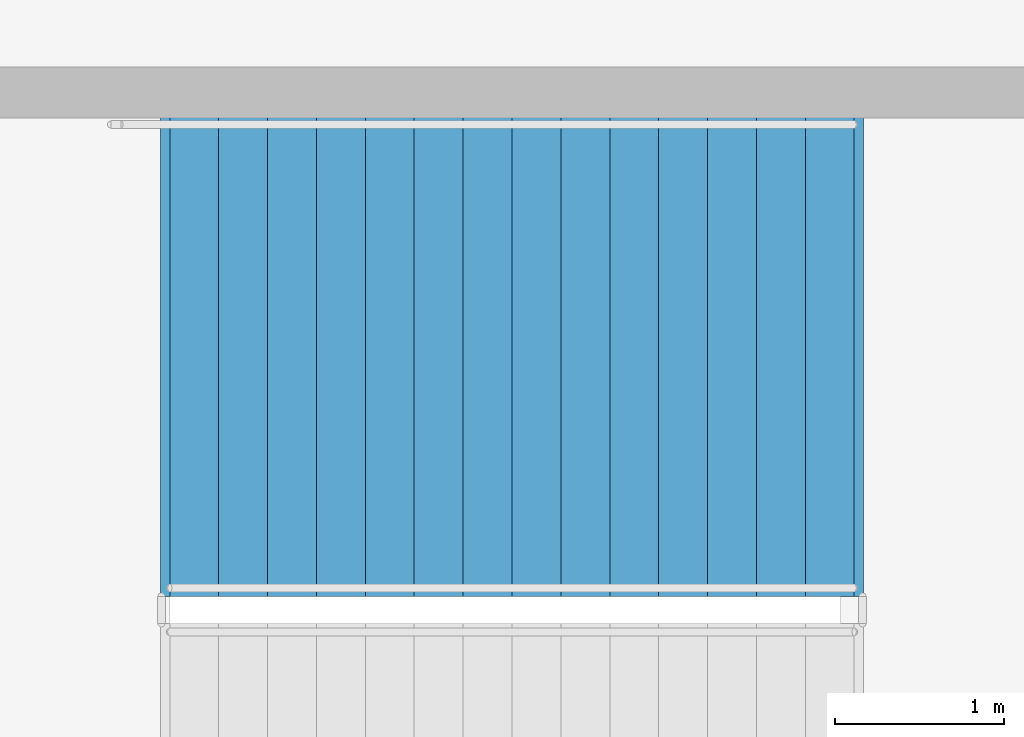
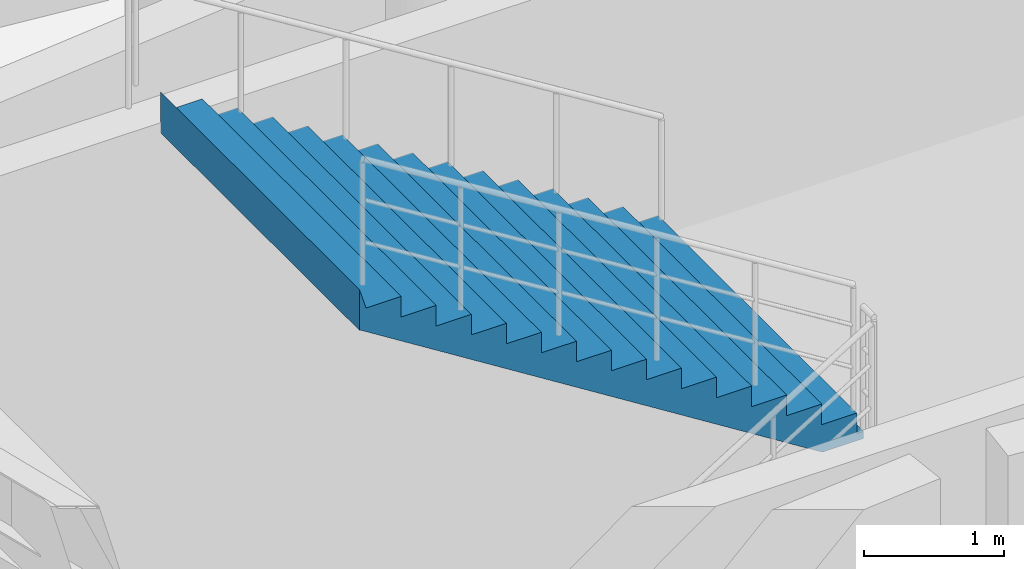
# One storey, part 71 of 93: 1 stair flight, 1 element without a shape of its own.
"""IFC4 building model written with IfcOpenShell, lengths in metres."""

from ifc_helpers import new_model, si_unit, direction, frame, origin, place, context, subcontext, project, spatial, polyline, outline, extrude, material, type_object, element, aggregate, save


model = new_model("IFC4")

# Units and contexts
model_context = context("Model", 3, precision=1e-05, world=origin(), true_north=direction((0.0, 1.0)))
body_context = subcontext(model_context, "Body", "Model", "MODEL_VIEW")
ifc_project = project(units=[si_unit("LENGTHUNIT", "METRE"), si_unit("AREAUNIT", "SQUARE_METRE"), si_unit("VOLUMEUNIT", "CUBIC_METRE"), si_unit("PLANEANGLEUNIT", "RADIAN"), si_unit("MASSUNIT", "GRAM", prefix="KILO")], contexts=[model_context])

# Site, building, storey
site_placement = place(None, origin())
site = spatial("IfcSite", under=ifc_project, at=site_placement, CompositionType="ELEMENT")
building_placement = place(site_placement, origin())
building = spatial("IfcBuilding", under=site, at=building_placement, Name="Cinderbank Siding Concert Hall", CompositionType="ELEMENT")
storey_placement = place(building_placement, origin())
storey = spatial("IfcBuildingStorey", under=building, at=storey_placement, Name="L01", CompositionType="ELEMENT", Elevation=0.0)

# Stair, stair flight
ifc_material = material(Name="Reinforced concrete AS 3600 N50 (50 MPa)", Category="concrete")
stair_type = type_object("IfcStairType", Name="STR-J Dogleg Exit Stair 2850mm", PredefinedType="HALF_TURN_STAIR", material=ifc_material)
stair_placement = place(storey_placement, origin())
stair = element("IfcStair", 1, at=stair_placement, inside=storey, type_object=stair_type, Name="L01 Fire-isolated Exit Stair ST-01", PredefinedType="HALF_TURN_STAIR")
stair_flight_type = type_object("IfcStairFlightType", Name="SFL-J Concrete Stair Flight 2850mm", PredefinedType="STRAIGHT", material=ifc_material)
stair_flight_placement = place(storey_placement, frame((123.2099609375, 63.18505859375, 2.699951171875), z_axis=(0.0, 0.0, 1.0), x_axis=(-1.0, 0.0, 0.0)))
stair_flight = element("IfcStairFlight", 2, at=stair_flight_placement, type_object=stair_flight_type, Name="ST-01 flight 2", NumberOfRisers=15, NumberOfTreads=14, PredefinedType="STRAIGHT", RiserHeight=0.18, TreadLength=0.29, context=body_context, shape_type="SweptSolid", body=[
    extrude(outline(polyline([(0.0, 0.0), (0.0, 0.179931640625), (0.2900390625, 0.179931640625), (0.2900390625, 0.360107421875), (0.580078125, 0.360107421875), (0.580078125, 0.5400390625), (0.8701171875, 0.5400390625), (0.8701171875, 0.719970703125), (1.159912109375, 0.719970703125), (1.159912109375, 0.89990234375), (1.449951171875, 0.89990234375), (1.449951171875, 1.080078125), (1.739990234375, 1.080078125), (1.739990234375, 1.260009765625), (2.030029296875, 1.260009765625), (2.030029296875, 1.43994140625), (2.320068359375, 1.43994140625), (2.320068359375, 1.6201171875), (2.610107421875, 1.6201171875), (2.610107421875, 1.800048828125), (2.89990234375, 1.800048828125), (2.89990234375, 1.97998046875), (3.18994140625, 1.97998046875), (3.18994140625, 2.159912109375), (3.47998046875, 2.159912109375), (3.47998046875, 2.340087890625), (3.77001953125, 2.340087890625), (3.77001953125, 2.52001953125), (4.06005859375, 2.52001953125), (4.114990234375, 2.699951171875), (4.114990234375, 2.343505859375), (4.11474609375, 2.34375), (4.11474609375, 2.343994140625), (4.11474609375, 2.34423828125), (4.11474609375, 2.344482421875), (4.11474609375, 2.3447265625), (4.11474609375, 2.344970703125), (4.11474609375, 2.34521484375), (4.11474609375, 2.345458984375), (4.11474609375, 2.345703125), (4.11474609375, 2.345947265625), (4.11474609375, 2.34619140625), (4.11474609375, 2.346435546875), (4.114501953125, 2.346435546875), (4.114501953125, 2.34619140625), (4.114501953125, 2.345947265625), (4.114501953125, 2.345703125), (4.114501953125, 2.345458984375), (4.114501953125, 2.34521484375), (4.114501953125, 2.344970703125), (4.114501953125, 2.3447265625), (4.114501953125, 2.344482421875), (4.114501953125, 2.34423828125), (4.114501953125, 2.343994140625), (4.114501953125, 2.34375), (4.114501953125, 2.343505859375), (4.1142578125, 2.34375), (4.1142578125, 2.343994140625), (4.1142578125, 2.34423828125), (4.1142578125, 2.344482421875), (4.1142578125, 2.3447265625), (4.1142578125, 2.344970703125), (4.1142578125, 2.34521484375), (4.1142578125, 2.345458984375), (4.1142578125, 2.345703125), (4.1142578125, 2.345947265625), (4.1142578125, 2.34619140625), (4.1142578125, 2.346435546875), (4.114013671875, 2.346435546875), (4.114013671875, 2.34619140625), (4.114013671875, 2.345947265625), (4.114013671875, 2.345703125), (4.114013671875, 2.345458984375), (4.114013671875, 2.34521484375), (4.114013671875, 2.344970703125), (4.114013671875, 2.3447265625), (4.114013671875, 2.344482421875), (4.114013671875, 2.34423828125), (4.114013671875, 2.343994140625), (4.114013671875, 2.34375), (4.114013671875, 2.343505859375), (4.11376953125, 2.34375), (4.11376953125, 2.343994140625), (4.11376953125, 2.34423828125), (4.11376953125, 2.344482421875), (4.11376953125, 2.3447265625), (4.11376953125, 2.344970703125), (4.11376953125, 2.34521484375), (4.11376953125, 2.345458984375), (4.11376953125, 2.345703125), (4.11376953125, 2.345947265625), (4.11376953125, 2.34619140625), (4.11376953125, 2.346435546875), (4.113525390625, 2.346435546875), (4.113525390625, 2.34619140625), (4.113525390625, 2.345947265625), (4.113525390625, 2.345703125), (4.113525390625, 2.345458984375), (4.113525390625, 2.34521484375), (4.113525390625, 2.344970703125), (4.113525390625, 2.3447265625), (4.113525390625, 2.344482421875), (4.113525390625, 2.34423828125), (4.113525390625, 2.343994140625), (4.113525390625, 2.34375), (4.113525390625, 2.343505859375), (4.11328125, 2.34375), (4.11328125, 2.343994140625), (4.11328125, 2.34423828125), (4.11328125, 2.344482421875), (4.11328125, 2.3447265625), (4.11328125, 2.344970703125), (4.11328125, 2.34521484375), (4.11328125, 2.345458984375), (4.11328125, 2.345703125), (4.11328125, 2.345947265625), (4.11328125, 2.34619140625), (4.11328125, 2.346435546875), (4.113037109375, 2.346435546875), (4.113037109375, 2.34619140625), (4.113037109375, 2.345947265625), (4.113037109375, 2.345703125), (4.113037109375, 2.345458984375), (4.113037109375, 2.34521484375), (4.113037109375, 2.344970703125), (4.113037109375, 2.3447265625), (4.113037109375, 2.344482421875), (4.113037109375, 2.34423828125), (4.113037109375, 2.343994140625), (4.113037109375, 2.34375), (4.113037109375, 2.343505859375), (4.11279296875, 2.34375), (4.11279296875, 2.343994140625), (4.11279296875, 2.34423828125), (4.11279296875, 2.344482421875), (4.11279296875, 2.3447265625), (4.11279296875, 2.344970703125), (4.11279296875, 2.34521484375), (4.11279296875, 2.345458984375), (4.11279296875, 2.345703125), (4.11279296875, 2.345947265625), (4.11279296875, 2.34619140625), (4.11279296875, 2.346435546875), (4.112548828125, 2.346435546875), (4.112548828125, 2.34619140625), (4.112548828125, 2.345947265625), (4.112548828125, 2.345703125), (4.112548828125, 2.345458984375), (4.112548828125, 2.34521484375), (4.112548828125, 2.344970703125), (4.112548828125, 2.3447265625), (4.112548828125, 2.344482421875), (4.112548828125, 2.34423828125), (4.112548828125, 2.343994140625), (4.112548828125, 2.34375), (4.112548828125, 2.343505859375), (4.1123046875, 2.34375), (4.1123046875, 2.343994140625), (4.1123046875, 2.34423828125), (4.1123046875, 2.344482421875), (4.1123046875, 2.3447265625), (4.1123046875, 2.344970703125), (4.1123046875, 2.34521484375), (4.1123046875, 2.345458984375), (4.1123046875, 2.345703125), (4.1123046875, 2.345947265625), (4.1123046875, 2.34619140625), (4.1123046875, 2.346435546875), (4.112060546875, 2.346435546875), (4.112060546875, 2.34619140625), (4.112060546875, 2.345947265625), (4.112060546875, 2.345703125), (4.112060546875, 2.345458984375), (4.112060546875, 2.34521484375), (4.112060546875, 2.344970703125), (4.112060546875, 2.3447265625), (4.112060546875, 2.344482421875), (4.112060546875, 2.34423828125), (4.112060546875, 2.343994140625), (4.112060546875, 2.34375), (4.112060546875, 2.343505859375), (4.11181640625, 2.34375), (4.11181640625, 2.343994140625), (4.11181640625, 2.34423828125), (4.11181640625, 2.344482421875), (4.11181640625, 2.3447265625), (4.11181640625, 2.344970703125), (4.11181640625, 2.34521484375), (4.11181640625, 2.345458984375), (4.11181640625, 2.345703125), (4.11181640625, 2.345947265625), (4.11181640625, 2.34619140625), (4.11181640625, 2.346435546875), (4.111572265625, 2.346435546875), (4.111572265625, 2.34619140625), (4.111572265625, 2.345947265625), (4.111572265625, 2.345703125), (4.111572265625, 2.345458984375), (4.111572265625, 2.34521484375), (4.111572265625, 2.344970703125), (4.111572265625, 2.3447265625), (4.111572265625, 2.344482421875), (4.111572265625, 2.34423828125), (4.111572265625, 2.343994140625), (4.111572265625, 2.34375), (4.111572265625, 2.343505859375), (4.111328125, 2.34375), (4.111328125, 2.343994140625), (4.111328125, 2.34423828125), (4.111328125, 2.344482421875), (4.111328125, 2.3447265625), (4.111328125, 2.344970703125), (4.111328125, 2.34521484375), (4.111328125, 2.345458984375), (4.111328125, 2.345703125), (4.111328125, 2.345947265625), (4.111328125, 2.34619140625), (4.111328125, 2.346435546875), (4.111083984375, 2.346435546875), (4.111083984375, 2.34619140625), (4.111083984375, 2.345947265625), (4.111083984375, 2.345703125), (4.111083984375, 2.345458984375), (4.111083984375, 2.34521484375), (4.111083984375, 2.344970703125), (4.111083984375, 2.3447265625), (4.111083984375, 2.344482421875), (4.111083984375, 2.34423828125), (4.111083984375, 2.343994140625), (4.111083984375, 2.34375), (4.111083984375, 2.343505859375), (4.11083984375, 2.34375), (4.11083984375, 2.343994140625), (4.11083984375, 2.34423828125), (4.11083984375, 2.344482421875), (4.11083984375, 2.3447265625), (4.11083984375, 2.344970703125), (4.11083984375, 2.34521484375), (4.11083984375, 2.345458984375), (4.11083984375, 2.345703125), (4.11083984375, 2.345947265625), (4.11083984375, 2.34619140625), (4.11083984375, 2.346435546875), (4.110595703125, 2.346435546875), (4.110595703125, 2.34619140625), (4.110595703125, 2.345947265625), (4.110595703125, 2.345703125), (4.110595703125, 2.345458984375), (4.110595703125, 2.34521484375), (4.110595703125, 2.344970703125), (4.110595703125, 2.3447265625), (4.110595703125, 2.344482421875), (4.110595703125, 2.34423828125), (4.110595703125, 2.343994140625), (4.110595703125, 2.34375), (4.110595703125, 2.343505859375), (4.1103515625, 2.34375), (4.1103515625, 2.343994140625), (4.1103515625, 2.34423828125), (4.1103515625, 2.344482421875), (4.1103515625, 2.3447265625), (4.1103515625, 2.344970703125), (4.1103515625, 2.34521484375), (4.1103515625, 2.345458984375), (4.1103515625, 2.345703125), (4.1103515625, 2.345947265625), (4.1103515625, 2.34619140625), (4.1103515625, 2.346435546875), (4.110107421875, 2.346435546875), (4.110107421875, 2.34619140625), (4.110107421875, 2.345947265625), (4.110107421875, 2.345703125), (4.110107421875, 2.345458984375), (4.110107421875, 2.34521484375), (4.110107421875, 2.344970703125), (4.110107421875, 2.3447265625), (4.110107421875, 2.344482421875), (4.110107421875, 2.34423828125), (4.110107421875, 2.343994140625), (4.110107421875, 2.34375), (4.110107421875, 2.343505859375), (4.10986328125, 2.34375), (4.10986328125, 2.343994140625), (4.10986328125, 2.34423828125), (4.10986328125, 2.344482421875), (4.10986328125, 2.3447265625), (4.10986328125, 2.344970703125), (4.10986328125, 2.34521484375), (4.10986328125, 2.345458984375), (4.10986328125, 2.345703125), (4.10986328125, 2.345947265625), (4.10986328125, 2.34619140625), (4.10986328125, 2.346435546875), (4.109619140625, 2.346435546875), (4.109619140625, 2.34619140625), (4.109619140625, 2.345947265625), (4.109619140625, 2.345703125), (4.109619140625, 2.345458984375), (4.109619140625, 2.34521484375), (4.109619140625, 2.344970703125), (4.109619140625, 2.3447265625), (4.109619140625, 2.344482421875), (4.109619140625, 2.34423828125), (4.109619140625, 2.343994140625), (4.109619140625, 2.34375), (4.109619140625, 2.343505859375), (4.109375, 2.34375), (4.109375, 2.343994140625), (4.109375, 2.34423828125), (4.109375, 2.344482421875), (4.109375, 2.3447265625), (4.109375, 2.344970703125), (4.109375, 2.34521484375), (4.109375, 2.345458984375), (4.109375, 2.345703125), (4.109375, 2.345947265625), (4.109375, 2.34619140625), (4.109375, 2.346435546875), (4.109130859375, 2.346435546875), (4.109130859375, 2.34619140625), (4.109130859375, 2.345947265625), (4.109130859375, 2.345703125), (4.109130859375, 2.345458984375), (4.109130859375, 2.34521484375), (4.109130859375, 2.344970703125), (4.109130859375, 2.3447265625), (4.109130859375, 2.344482421875), (4.109130859375, 2.34423828125), (4.109130859375, 2.343994140625), (4.109130859375, 2.34375), (4.109130859375, 2.343505859375), (4.10888671875, 2.34375), (4.10888671875, 2.343994140625), (4.10888671875, 2.34423828125), (4.10888671875, 2.344482421875), (4.10888671875, 2.3447265625), (4.10888671875, 2.344970703125), (4.10888671875, 2.34521484375), (4.10888671875, 2.345458984375), (4.10888671875, 2.345703125), (4.10888671875, 2.345947265625), (4.10888671875, 2.34619140625), (4.10888671875, 2.346435546875), (4.108642578125, 2.346435546875), (4.108642578125, 2.34619140625), (4.108642578125, 2.345947265625), (4.108642578125, 2.345703125), (4.108642578125, 2.345458984375), (4.108642578125, 2.34521484375), (4.108642578125, 2.344970703125), (4.108642578125, 2.3447265625), (4.108642578125, 2.344482421875), (4.108642578125, 2.34423828125), (4.108642578125, 2.343994140625), (4.108642578125, 2.34375), (4.108642578125, 2.343505859375), (0.2841796875, -0.06396484375), (-0.048583984375, -0.063720703125), (-0.048583984375, -0.0634765625), (-0.048583984375, -0.063232421875), (-0.048583984375, -0.06298828125), (-0.048583984375, -0.062744140625), (-0.048583984375, -0.0625), (-0.048583984375, -0.062255859375), (-0.048583984375, -0.06201171875), (-0.048583984375, -0.061767578125), (-0.048583984375, -0.0615234375), (-0.048583984375, -0.061279296875), (-0.048583984375, -0.06103515625), (-0.048828125, -0.06103515625), (-0.048828125, -0.061279296875), (-0.048828125, -0.0615234375), (-0.048828125, -0.061767578125), (-0.048828125, -0.06201171875), (-0.048828125, -0.062255859375), (-0.048828125, -0.0625), (-0.048828125, -0.062744140625), (-0.048828125, -0.06298828125), (-0.048828125, -0.063232421875), (-0.048828125, -0.0634765625), (-0.048828125, -0.063720703125), (-0.048828125, -0.06396484375), (-0.049072265625, -0.063720703125), (-0.049072265625, -0.0634765625), (-0.049072265625, -0.063232421875), (-0.049072265625, -0.06298828125), (-0.049072265625, -0.062744140625), (-0.049072265625, -0.0625), (-0.049072265625, -0.062255859375), (-0.049072265625, -0.06201171875), (-0.049072265625, -0.061767578125), (-0.049072265625, -0.0615234375), (-0.049072265625, -0.061279296875), (-0.049072265625, -0.06103515625), (-0.04931640625, -0.06103515625), (-0.04931640625, -0.061279296875), (-0.04931640625, -0.0615234375), (-0.04931640625, -0.061767578125), (-0.04931640625, -0.06201171875), (-0.04931640625, -0.062255859375), (-0.04931640625, -0.0625), (-0.04931640625, -0.062744140625), (-0.04931640625, -0.06298828125), (-0.04931640625, -0.063232421875), (-0.04931640625, -0.0634765625), (-0.04931640625, -0.063720703125), (-0.04931640625, -0.06396484375), (-0.049560546875, -0.063720703125), (-0.049560546875, -0.0634765625), (-0.049560546875, -0.063232421875), (-0.049560546875, -0.06298828125), (-0.049560546875, -0.062744140625), (-0.049560546875, -0.0625), (-0.049560546875, -0.062255859375), (-0.049560546875, -0.06201171875), (-0.049560546875, -0.061767578125), (-0.049560546875, -0.0615234375), (-0.049560546875, -0.061279296875), (-0.049560546875, -0.06103515625), (-0.0498046875, -0.06103515625), (-0.0498046875, -0.061279296875), (-0.0498046875, -0.0615234375), (-0.0498046875, -0.061767578125), (-0.0498046875, -0.06201171875), (-0.0498046875, -0.062255859375), (-0.0498046875, -0.0625), (-0.0498046875, -0.062744140625), (-0.0498046875, -0.06298828125), (-0.0498046875, -0.063232421875), (-0.0498046875, -0.0634765625), (-0.0498046875, -0.063720703125), (-0.0498046875, -0.06396484375), (-0.050048828125, -0.063720703125), (-0.050048828125, -0.0634765625), (-0.050048828125, -0.063232421875), (-0.050048828125, -0.06298828125), (-0.050048828125, -0.062744140625), (-0.050048828125, -0.0625), (-0.050048828125, -0.062255859375), (-0.050048828125, -0.06201171875), (-0.050048828125, -0.061767578125), (-0.050048828125, -0.0615234375), (-0.050048828125, -0.061279296875), (-0.050048828125, -0.06103515625), (-0.05029296875, -0.06103515625), (-0.05029296875, -0.061279296875), (-0.05029296875, -0.0615234375), (-0.05029296875, -0.061767578125), (-0.05029296875, -0.06201171875), (-0.05029296875, -0.062255859375), (-0.05029296875, -0.0625), (-0.05029296875, -0.062744140625), (-0.05029296875, -0.06298828125), (-0.05029296875, -0.063232421875), (-0.05029296875, -0.0634765625), (-0.05029296875, -0.063720703125), (-0.05029296875, -0.06396484375), (-0.050537109375, -0.063720703125), (-0.050537109375, -0.0634765625), (-0.050537109375, -0.063232421875), (-0.050537109375, -0.06298828125), (-0.050537109375, -0.062744140625), (-0.050537109375, -0.0625), (-0.050537109375, -0.062255859375), (-0.050537109375, -0.06201171875), (-0.050537109375, -0.061767578125), (-0.050537109375, -0.0615234375), (-0.050537109375, -0.061279296875), (-0.050537109375, -0.06103515625), (-0.05078125, -0.06103515625), (-0.05078125, -0.061279296875), (-0.05078125, -0.0615234375), (-0.05078125, -0.061767578125), (-0.05078125, -0.06201171875), (-0.05078125, -0.062255859375), (-0.05078125, -0.0625), (-0.05078125, -0.062744140625), (-0.05078125, -0.06298828125), (-0.05078125, -0.063232421875), (-0.05078125, -0.0634765625), (-0.05078125, -0.063720703125), (-0.05078125, -0.06396484375), (-0.051025390625, -0.063720703125), (-0.051025390625, -0.0634765625), (-0.051025390625, -0.063232421875), (-0.051025390625, -0.06298828125), (-0.051025390625, -0.062744140625), (-0.051025390625, -0.0625), (-0.051025390625, -0.062255859375), (-0.051025390625, -0.06201171875), (-0.051025390625, -0.061767578125), (-0.051025390625, -0.0615234375), (-0.051025390625, -0.061279296875), (-0.051025390625, -0.06103515625), (-0.05126953125, -0.06103515625), (-0.05126953125, -0.061279296875), (-0.05126953125, -0.0615234375), (-0.05126953125, -0.061767578125), (-0.05126953125, -0.06201171875), (-0.05126953125, -0.062255859375), (-0.05126953125, -0.0625), (-0.05126953125, -0.062744140625), (-0.05126953125, -0.06298828125), (-0.05126953125, -0.063232421875), (-0.05126953125, -0.0634765625), (-0.05126953125, -0.063720703125), (-0.05126953125, -0.06396484375), (-0.051513671875, -0.063720703125), (-0.051513671875, -0.0634765625), (-0.051513671875, -0.063232421875), (-0.051513671875, -0.06298828125), (-0.051513671875, -0.062744140625), (-0.051513671875, -0.0625), (-0.051513671875, -0.062255859375), (-0.051513671875, -0.06201171875), (-0.051513671875, -0.061767578125), (-0.051513671875, -0.0615234375), (-0.051513671875, -0.061279296875), (-0.051513671875, -0.06103515625), (-0.0517578125, -0.06103515625), (-0.0517578125, -0.061279296875), (-0.0517578125, -0.0615234375), (-0.0517578125, -0.061767578125), (-0.0517578125, -0.06201171875), (-0.0517578125, -0.062255859375), (-0.0517578125, -0.0625), (-0.0517578125, -0.062744140625), (-0.0517578125, -0.06298828125), (-0.0517578125, -0.063232421875), (-0.0517578125, -0.0634765625), (-0.0517578125, -0.063720703125), (-0.0517578125, -0.06396484375), (-0.052001953125, -0.063720703125), (-0.052001953125, -0.0634765625), (-0.052001953125, -0.063232421875), (-0.052001953125, -0.06298828125), (-0.052001953125, -0.062744140625), (-0.052001953125, -0.0625), (-0.052001953125, -0.062255859375), (-0.052001953125, -0.06201171875), (-0.052001953125, -0.061767578125), (-0.052001953125, -0.0615234375), (-0.052001953125, -0.061279296875), (-0.052001953125, -0.06103515625), (-0.05224609375, -0.06103515625), (-0.05224609375, -0.061279296875), (-0.05224609375, -0.0615234375), (-0.05224609375, -0.061767578125), (-0.05224609375, -0.06201171875), (-0.05224609375, -0.062255859375), (-0.05224609375, -0.0625), (-0.05224609375, -0.062744140625), (-0.05224609375, -0.06298828125), (-0.05224609375, -0.063232421875), (-0.05224609375, -0.0634765625), (-0.05224609375, -0.063720703125), (-0.05224609375, -0.06396484375), (-0.052490234375, -0.063720703125), (-0.052490234375, -0.0634765625), (-0.052490234375, -0.063232421875), (-0.052490234375, -0.06298828125), (-0.052490234375, -0.062744140625), (-0.052490234375, -0.0625), (-0.052490234375, -0.062255859375), (-0.052490234375, -0.06201171875), (-0.052490234375, -0.061767578125), (-0.052490234375, -0.0615234375), (-0.052490234375, -0.061279296875), (-0.052490234375, -0.06103515625), (-0.052734375, -0.06103515625), (-0.052734375, -0.061279296875), (-0.052734375, -0.0615234375), (-0.052734375, -0.061767578125), (-0.052734375, -0.06201171875), (-0.052734375, -0.062255859375), (-0.052734375, -0.0625), (-0.052734375, -0.062744140625), (-0.052734375, -0.06298828125), (-0.052734375, -0.063232421875), (-0.052734375, -0.0634765625), (-0.052734375, -0.063720703125), (-0.052734375, -0.06396484375), (-0.052978515625, -0.063720703125), (-0.052978515625, -0.0634765625), (-0.052978515625, -0.063232421875), (-0.052978515625, -0.06298828125), (-0.052978515625, -0.062744140625), (-0.052978515625, -0.0625), (-0.052978515625, -0.062255859375), (-0.052978515625, -0.06201171875), (-0.052978515625, -0.061767578125), (-0.052978515625, -0.0615234375), (-0.052978515625, -0.061279296875), (-0.052978515625, -0.06103515625), (-0.05322265625, -0.06103515625), (-0.05322265625, -0.061279296875), (-0.05322265625, -0.0615234375), (-0.05322265625, -0.061767578125), (-0.05322265625, -0.06201171875), (-0.05322265625, -0.062255859375), (-0.05322265625, -0.0625), (-0.05322265625, -0.062744140625), (-0.05322265625, -0.06298828125), (-0.05322265625, -0.063232421875), (-0.05322265625, -0.0634765625), (-0.05322265625, -0.063720703125), (-0.05322265625, -0.06396484375), (-0.053466796875, -0.063720703125), (-0.053466796875, -0.0634765625), (-0.053466796875, -0.063232421875), (-0.053466796875, -0.06298828125), (-0.053466796875, -0.062744140625), (-0.053466796875, -0.0625), (-0.053466796875, -0.062255859375), (-0.053466796875, -0.06201171875), (-0.053466796875, -0.061767578125), (-0.053466796875, -0.0615234375), (-0.053466796875, -0.061279296875), (-0.053466796875, -0.06103515625), (-0.0537109375, -0.06103515625), (-0.0537109375, -0.061279296875), (-0.0537109375, -0.0615234375), (-0.0537109375, -0.061767578125), (-0.0537109375, -0.06201171875), (-0.0537109375, -0.062255859375), (-0.0537109375, -0.0625), (-0.0537109375, -0.062744140625), (-0.0537109375, -0.06298828125), (-0.0537109375, -0.063232421875), (-0.0537109375, -0.0634765625), (-0.0537109375, -0.063720703125), (-0.0537109375, -0.06396484375), (-0.053955078125, -0.063720703125), (-0.053955078125, -0.0634765625), (-0.053955078125, -0.063232421875), (-0.053955078125, -0.06298828125), (-0.053955078125, -0.062744140625), (-0.053955078125, -0.0625), (-0.053955078125, -0.062255859375), (-0.053955078125, -0.06201171875), (-0.053955078125, -0.061767578125), (-0.053955078125, -0.0615234375), (-0.053955078125, -0.061279296875), (-0.053955078125, -0.06103515625), (-0.05419921875, -0.06103515625), (-0.05419921875, -0.061279296875), (-0.05419921875, -0.0615234375), (-0.05419921875, -0.061767578125), (-0.05419921875, -0.06201171875), (-0.05419921875, -0.062255859375), (-0.05419921875, -0.0625), (-0.05419921875, -0.062744140625), (-0.05419921875, -0.06298828125), (-0.05419921875, -0.063232421875), (-0.05419921875, -0.0634765625), (-0.05419921875, -0.063720703125), (-0.05419921875, -0.06396484375), (-0.054443359375, -0.063720703125), (-0.054443359375, -0.0634765625), (-0.054443359375, -0.063232421875), (-0.054443359375, -0.06298828125), (-0.054443359375, -0.062744140625), (-0.054443359375, -0.0625), (-0.054443359375, -0.062255859375), (-0.054443359375, -0.06201171875), (-0.054443359375, -0.061767578125), (-0.054443359375, -0.0615234375), (-0.054443359375, -0.061279296875), (-0.054443359375, -0.06103515625), (-0.0546875, -0.06103515625), (-0.0546875, -0.061279296875), (-0.0546875, -0.0615234375), (-0.0546875, -0.061767578125), (-0.0546875, -0.06201171875), (-0.0546875, -0.062255859375), (-0.0546875, -0.0625), (-0.0546875, -0.062744140625), (-0.0546875, -0.06298828125), (-0.0546875, -0.063232421875), (-0.0546875, -0.0634765625), (-0.0546875, -0.063720703125), (-0.0546875, -0.06396484375), (-0.054931640625, -0.06396484375), (-0.054931640625, 0.0), (0.0, 0.0)])), frame((0.0, 1.425048828125, 0.0), z_axis=(0.0, -1.0, 0.0), x_axis=(1.0, 0.0, 0.0)), (0.0, 0.0, 1.0), 2.85009765625),
])
aggregate(stair, [stair_flight])

save(model, "model.ifc")
